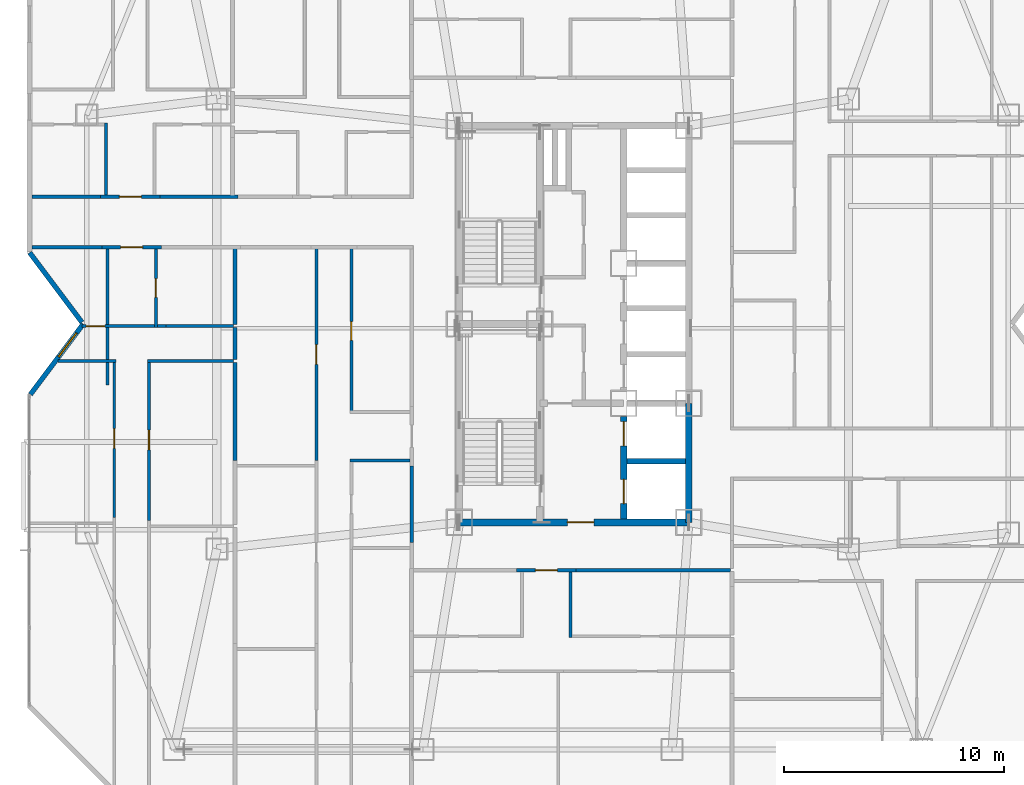
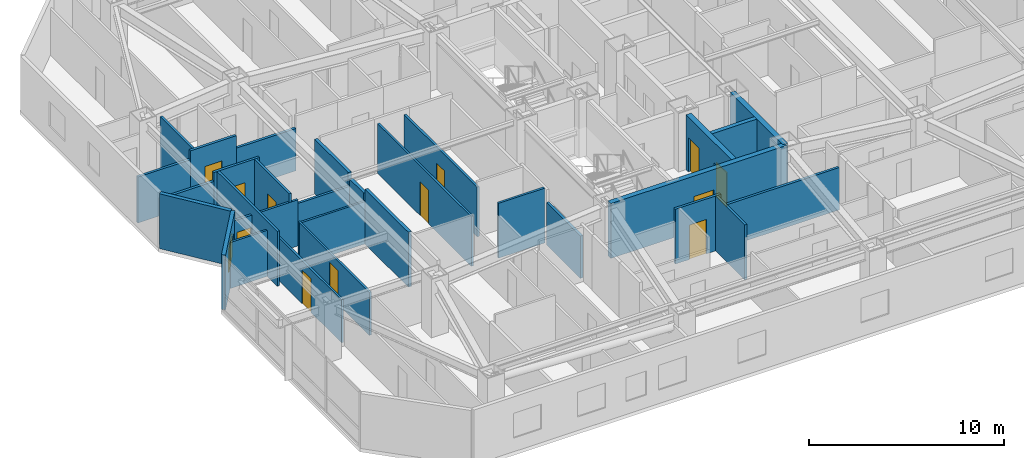
# One storey, part 12 of 18: 30 walls, 12 doors, 1 window, 13 openings.
"""IFC4 building model written with IfcOpenShell, lengths in metres."""

from ifc_helpers import new_model, si_unit, direction, frame, frame_2d, origin, place, context, subcontext, project, spatial, rectangle, extrude, material, layer, layer_set, type_object, element, fill, save


model = new_model("IFC4")

# Units and contexts
model_context = context("Model", 3, precision=1e-05, world=origin(), true_north=direction((0.0, 1.0)))
body_context = subcontext(model_context, "Body", "Model", "MODEL_VIEW")
ifc_project = project(units=[si_unit("LENGTHUNIT", "METRE"), si_unit("AREAUNIT", "SQUARE_METRE"), si_unit("VOLUMEUNIT", "CUBIC_METRE"), si_unit("PLANEANGLEUNIT", "RADIAN"), si_unit("MASSUNIT", "GRAM", prefix="KILO")], contexts=[model_context])

# Site, building, storey
site_placement = place(None, origin())
site = spatial("IfcSite", under=ifc_project, at=site_placement, CompositionType="ELEMENT")
building_placement = place(site_placement, origin())
building = spatial("IfcBuilding", under=site, at=building_placement, Name="Khamvora Tower", CompositionType="ELEMENT")
storey_placement = place(building_placement, frame((0.0, 0.0, 109.199951171875)))
storey = spatial("IfcBuildingStorey", under=building, at=storey_placement, Name="L27", CompositionType="ELEMENT", Elevation=109.199951171875)

# Wall, opening, door
ifc_material_1 = material(Name="Concrete C50/60", Category="concrete")
ifc_layer_1 = layer(ifc_material_1, 0.300048828125)
ifc_layer_set_1 = layer_set([ifc_layer_1], Name="Concrete C50/60")
wall_type_1 = type_object("IfcWallType", Name="WAL-CORE-300", PredefinedType="SHEAR", material=ifc_layer_set_1)
wall_1_placement = place(storey_placement, frame((29.0, 19.0, 0.0), z_axis=(0.0, 0.0, 1.0), x_axis=(1.0, 0.0, 0.0)))
wall_1 = element("IfcWall", 1, at=wall_1_placement, inside=storey, type_object=wall_type_1, Name="L27 central core south wall", PredefinedType="SHEAR", context=body_context, shape_type="SweptSolid", body=[
    extrude(rectangle(XDim=10.39990234375, YDim=0.300048828125, at=frame_2d((5.199951171875, 0.0))), origin(), (0.0, 0.0, 1.0), 3.429931640625),
])
opening_1_placement = place(wall_1_placement, frame((4.89990234375, 0.0, 0.0)))
opening_1 = element("IfcOpeningElement", 2, at=opening_1_placement, cuts=wall_1, Name="Opening D-CR1", PredefinedType="OPENING", context=body_context, shape_type="SweptSolid", body=[
    extrude(rectangle(XDim=1.199951171875, YDim=2.14990234375, at=frame_2d((0.60009765625, 1.074951171875))), frame((0.0, 0.159912109375, 0.0), z_axis=(0.0, -1.0, 0.0), x_axis=(1.0, 0.0, 0.0)), (0.0, 0.0, 1.0), 0.320068359375),
])
ifc_material_2 = material(Name="Powder-Coated Steel and Hardwood Leaf", Category="steel")
door_type_1 = type_object("IfcDoorType", Name="DOR-CORR-1200", OperationType="NOTDEFINED", PredefinedType="DOOR", material=ifc_material_2)
door_1_placement = place(opening_1_placement, origin())
door_1 = element("IfcDoor", 3, at=door_1_placement, inside=storey, type_object=door_type_1, Name="L27 south core lobby to corridor fire door", OperationType="SINGLE_SWING_LEFT", OverallHeight=2.14990234375, OverallWidth=1.199951171875, PredefinedType="DOOR", context=body_context, shape_type="SweptSolid", body=[
    extrude(rectangle(XDim=1.199951171875, YDim=2.14990234375, at=frame_2d((0.60009765625, 1.074951171875))), frame((0.0, 0.02490234375, 0.0), z_axis=(0.0, -1.0, 0.0), x_axis=(1.0, 0.0, 0.0)), (0.0, 0.0, 1.0), 0.050048828125),
])
fill(opening_1, door_1)

# Wall
wall_2_placement = place(storey_placement, frame((39.39990234375, 19.0, 0.0), z_axis=(0.0, 0.0, 1.0), x_axis=(0.0, 1.0, 0.0)))
element("IfcWall", 4, at=wall_2_placement, inside=storey, type_object=wall_type_1, Name="L27 central core east south wall", PredefinedType="SHEAR", context=body_context, shape_type="SweptSolid", body=[
    extrude(rectangle(XDim=5.39990234375, YDim=0.300048828125, at=frame_2d((2.699951171875, 0.0))), origin(), (0.0, 0.0, 1.0), 3.429931640625),
])

# Wall, openings, doors
wall_3_placement = place(storey_placement, frame((36.449951171875, 19.154052734375, 0.0), z_axis=(0.0, 0.0, 1.0), x_axis=(0.0, 1.0, 0.0)))
wall_3 = element("IfcWall", 5, at=wall_3_placement, inside=storey, type_object=wall_type_1, Name="L27 central core lift bank south wall", PredefinedType="SHEAR", context=body_context, shape_type="SweptSolid", body=[
    extrude(rectangle(XDim=4.64599609375, YDim=0.300048828125, at=frame_2d((2.322998046875, 0.0))), origin(), (0.0, 0.0, 1.0), 3.429931640625),
])
opening_2_placement = place(wall_3_placement, frame((0.696044921875, 0.0, 0.0)))
opening_2 = element("IfcOpeningElement", 6, at=opening_2_placement, cuts=wall_3, Name="Opening LD-FFL", PredefinedType="OPENING", context=body_context, shape_type="SweptSolid", body=[
    extrude(rectangle(XDim=1.10009765625, YDim=2.14990234375, at=frame_2d((0.550048828125, 1.074951171875))), frame((0.0, 0.159912109375, 0.0), z_axis=(0.0, -1.0, 0.0), x_axis=(1.0, 0.0, 0.0)), (0.0, 0.0, 1.0), 0.320068359375),
])
opening_3_placement = place(wall_3_placement, frame((3.31591796875, 0.0, 0.0)))
opening_3 = element("IfcOpeningElement", 7, at=opening_3_placement, cuts=wall_3, Name="Opening LD-FFL", PredefinedType="OPENING", context=body_context, shape_type="SweptSolid", body=[
    extrude(rectangle(XDim=1.10009765625, YDim=2.14990234375, at=frame_2d((0.550048828125, 1.074951171875))), frame((0.0, 0.159912109375, 0.0), z_axis=(0.0, -1.0, 0.0), x_axis=(1.0, 0.0, 0.0)), (0.0, 0.0, 1.0), 0.320068359375),
])
door_type_2 = type_object("IfcDoorType", Name="DOR-LIFT-1100", OperationType="SLIDING_TO_LEFT", PredefinedType="DOOR", material=ifc_material_2)
door_2_placement = place(opening_2_placement, origin())
door_2 = element("IfcDoor", 8, at=door_2_placement, inside=storey, type_object=door_type_2, Name="L27 lift landing sliding door FFL-01", OperationType="SLIDING_TO_LEFT", OverallHeight=2.14990234375, OverallWidth=1.10009765625, PredefinedType="DOOR", context=body_context, shape_type="SweptSolid", body=[
    extrude(rectangle(XDim=1.10009765625, YDim=2.14990234375, at=frame_2d((0.550048828125, 1.074951171875))), frame((0.0, 0.02490234375, 0.0), z_axis=(0.0, -1.0, 0.0), x_axis=(1.0, 0.0, 0.0)), (0.0, 0.0, 1.0), 0.050048828125),
])
fill(opening_2, door_2)
door_3_placement = place(opening_3_placement, origin())
door_3 = element("IfcDoor", 9, at=door_3_placement, inside=storey, type_object=door_type_2, Name="L27 lift landing sliding door FFL-02", OperationType="SLIDING_TO_LEFT", OverallHeight=2.14990234375, OverallWidth=1.10009765625, PredefinedType="DOOR", context=body_context, shape_type="SweptSolid", body=[
    extrude(rectangle(XDim=1.10009765625, YDim=2.14990234375, at=frame_2d((0.550048828125, 1.074951171875))), frame((0.0, 0.02490234375, 0.0), z_axis=(0.0, -1.0, 0.0), x_axis=(1.0, 0.0, 0.0)), (0.0, 0.0, 1.0), 0.050048828125),
])
fill(opening_3, door_3)

# Wall, opening, door
ifc_material_3 = material(Name="Fire-Rated Drywall and Steel Stud", Category="steel")
ifc_layer_2 = layer(ifc_material_3, 0.14990234375)
ifc_layer_set_2 = layer_set([ifc_layer_2], Name="Fire-Rated Drywall and Steel Stud")
wall_type_2 = type_object("IfcWallType", Name="WAL-CORR-150", PredefinedType="STANDARD", material=ifc_layer_set_2)
wall_4_placement = place(storey_placement, frame((15.487060546875, 31.485107421875, 0.0), z_axis=(0.0, 0.0, 1.0), x_axis=(-1.0, 0.0, 0.0)))
wall_4 = element("IfcWall", 10, at=wall_4_placement, inside=storey, type_object=wall_type_2, Name="L27 interior partition wall 006", PredefinedType="STANDARD", context=body_context, shape_type="SweptSolid", body=[
    extrude(rectangle(XDim=2.697998046875, YDim=0.14990234375, at=frame_2d((1.34912109375, 0.0))), origin(), (0.0, 0.0, 1.0), 3.429931640625),
])
opening_4_placement = place(wall_4_placement, frame((0.84912109375, 0.0, 0.0)))
opening_4 = element("IfcOpeningElement", 11, at=opening_4_placement, cuts=wall_4, Name="Opening D-U1", PredefinedType="OPENING", context=body_context, shape_type="SweptSolid", body=[
    extrude(rectangle(XDim=1.0, YDim=2.14990234375, at=frame_2d((0.5, 1.074951171875))), frame((0.0, 0.0849609375, 0.0), z_axis=(0.0, -1.0, 0.0), x_axis=(1.0, 0.0, 0.0)), (0.0, 0.0, 1.0), 0.169921875),
])
door_type_3 = type_object("IfcDoorType", Name="DOR-UNIT-1000", OperationType="NOTDEFINED", PredefinedType="DOOR", material=ifc_material_2)
door_4_placement = place(opening_4_placement, origin())
door_4 = element("IfcDoor", 12, at=door_4_placement, inside=storey, type_object=door_type_3, Name="L27 interior door COR-27WA1H", OperationType="SINGLE_SWING_LEFT", OverallHeight=2.14990234375, OverallWidth=1.0, PredefinedType="DOOR", context=body_context, shape_type="SweptSolid", body=[
    extrude(rectangle(XDim=1.0, YDim=2.14990234375, at=frame_2d((0.5, 1.074951171875))), frame((0.0, 0.02490234375, 0.0), z_axis=(0.0, -1.0, 0.0), x_axis=(1.0, 0.0, 0.0)), (0.0, 0.0, 1.0), 0.050048828125),
])
fill(opening_4, door_4)

# Walls
wall_5_placement = place(storey_placement, frame((12.7890625, 31.485107421875, 0.0), z_axis=(0.0, 0.0, 1.0), x_axis=(-1.0, 0.0, 0.0)))
element("IfcWall", 13, at=wall_5_placement, inside=storey, type_object=wall_type_2, Name="L27 interior partition wall 007", PredefinedType="STANDARD", context=body_context, shape_type="SweptSolid", body=[
    extrude(rectangle(XDim=3.177001953125, YDim=0.14990234375, at=frame_2d((1.58837890625, 0.0))), origin(), (0.0, 0.0, 1.0), 2.8759765625),
])
wall_6_placement = place(storey_placement, frame((26.8349609375, 18.093017578125, 0.0), z_axis=(0.0, 0.0, 1.0), x_axis=(0.0, 1.0, 0.0)))
element("IfcWall", 14, at=wall_6_placement, inside=storey, type_object=wall_type_2, Name="L27 interior partition wall 012", PredefinedType="STANDARD", context=body_context, shape_type="SweptSolid", body=[
    extrude(rectangle(XDim=3.467041015625, YDim=0.14990234375, at=frame_2d((1.7333984375, 0.0))), origin(), (0.0, 0.0, 1.0), 2.64697265625),
])

# Wall, opening, door
wall_7_placement = place(storey_placement, frame((12.72607421875, 33.764892578125, 0.0), z_axis=(0.0, 0.0, 1.0), x_axis=(1.0, 0.0, 0.0)))
wall_7 = element("IfcWall", 15, at=wall_7_placement, inside=storey, type_object=wall_type_2, Name="L27 interior partition wall 016", PredefinedType="STANDARD", context=body_context, shape_type="SweptSolid", body=[
    extrude(rectangle(XDim=2.697998046875, YDim=0.14990234375, at=frame_2d((1.34912109375, 0.0))), origin(), (0.0, 0.0, 1.0), 3.429931640625),
])
opening_5_placement = place(wall_7_placement, frame((0.84912109375, 0.0, 0.0)))
opening_5 = element("IfcOpeningElement", 16, at=opening_5_placement, cuts=wall_7, Name="Opening D-U1", PredefinedType="OPENING", context=body_context, shape_type="SweptSolid", body=[
    extrude(rectangle(XDim=1.0, YDim=2.14990234375, at=frame_2d((0.5, 1.074951171875))), frame((0.0, 0.0849609375, 0.0), z_axis=(0.0, -1.0, 0.0), x_axis=(1.0, 0.0, 0.0)), (0.0, 0.0, 1.0), 0.169921875),
])
door_5_placement = place(opening_5_placement, origin())
door_5 = element("IfcDoor", 17, at=door_5_placement, inside=storey, type_object=door_type_3, Name="L27 interior door COR-27WBH", OperationType="SINGLE_SWING_LEFT", OverallHeight=2.14990234375, OverallWidth=1.0, PredefinedType="DOOR", context=body_context, shape_type="SweptSolid", body=[
    extrude(rectangle(XDim=1.0, YDim=2.14990234375, at=frame_2d((0.5, 1.074951171875))), frame((0.0, 0.02490234375, 0.0), z_axis=(0.0, -1.0, 0.0), x_axis=(1.0, 0.0, 0.0)), (0.0, 0.0, 1.0), 0.050048828125),
])
fill(opening_5, door_5)

# Walls
wall_8_placement = place(storey_placement, frame((9.612060546875, 33.764892578125, 0.0), z_axis=(0.0, 0.0, 1.0), x_axis=(1.0, 0.0, 0.0)))
element("IfcWall", 18, at=wall_8_placement, inside=storey, type_object=wall_type_2, Name="L27 interior partition wall 017", PredefinedType="STANDARD", context=body_context, shape_type="SweptSolid", body=[
    extrude(rectangle(XDim=3.114013671875, YDim=0.14990234375, at=frame_2d((1.55712890625, 0.0))), origin(), (0.0, 0.0, 1.0), 2.8759765625),
])
wall_9_placement = place(storey_placement, frame((15.424072265625, 33.764892578125, 0.0), z_axis=(0.0, 0.0, 1.0), x_axis=(1.0, 0.0, 0.0)))
element("IfcWall", 19, at=wall_9_placement, inside=storey, type_object=wall_type_2, Name="L27 interior partition wall 018", PredefinedType="STANDARD", context=body_context, shape_type="SweptSolid", body=[
    extrude(rectangle(XDim=3.530029296875, YDim=0.14990234375, at=frame_2d((1.76513671875, 0.0))), origin(), (0.0, 0.0, 1.0), 2.64697265625),
])

# Wall, opening, door
wall_10_placement = place(storey_placement, frame((34.299072265625, 16.8349609375, 0.0), z_axis=(0.0, 0.0, 1.0), x_axis=(-1.0, 0.0, 0.0)))
wall_10 = element("IfcWall", 20, at=wall_10_placement, inside=storey, type_object=wall_type_2, Name="L27 interior partition wall 025", PredefinedType="STANDARD", context=body_context, shape_type="SweptSolid", body=[
    extrude(rectangle(XDim=2.697998046875, YDim=0.14990234375, at=frame_2d((1.34912109375, 0.0))), origin(), (0.0, 0.0, 1.0), 3.429931640625),
])
opening_6_placement = place(wall_10_placement, frame((0.84912109375, 0.0, 0.0)))
opening_6 = element("IfcOpeningElement", 21, at=opening_6_placement, cuts=wall_10, Name="Opening D-U1", PredefinedType="OPENING", context=body_context, shape_type="SweptSolid", body=[
    extrude(rectangle(XDim=1.0, YDim=2.14990234375, at=frame_2d((0.5, 1.074951171875))), frame((0.0, 0.0849609375, 0.0), z_axis=(0.0, -1.0, 0.0), x_axis=(1.0, 0.0, 0.0)), (0.0, 0.0, 1.0), 0.169921875),
])
door_6_placement = place(opening_6_placement, origin())
door_6 = element("IfcDoor", 22, at=door_6_placement, inside=storey, type_object=door_type_3, Name="L27 interior door COR-27SAH", OperationType="SINGLE_SWING_LEFT", OverallHeight=2.14990234375, OverallWidth=1.0, PredefinedType="DOOR", context=body_context, shape_type="SweptSolid", body=[
    extrude(rectangle(XDim=1.0, YDim=2.14990234375, at=frame_2d((0.5, 1.074951171875))), frame((0.0, 0.02490234375, 0.0), z_axis=(0.0, -1.0, 0.0), x_axis=(1.0, 0.0, 0.0)), (0.0, 0.0, 1.0), 0.050048828125),
])
fill(opening_6, door_6)

# Walls
wall_11_placement = place(storey_placement, frame((41.300048828125, 16.8349609375, 0.0), z_axis=(0.0, 0.0, 1.0), x_axis=(-1.0, 0.0, 0.0)))
element("IfcWall", 23, at=wall_11_placement, inside=storey, type_object=wall_type_2, Name="L27 interior partition wall 027", PredefinedType="STANDARD", context=body_context, shape_type="SweptSolid", body=[
    extrude(rectangle(XDim=7.0009765625, YDim=0.14990234375, at=frame_2d((3.50048828125, 0.0))), origin(), (0.0, 0.0, 1.0), 2.64697265625),
])
ifc_material_4 = material(Name="Acoustic Double-Stud Fire Wall", Category="gypsum")
ifc_layer_3 = layer(ifc_material_4, 0.179931640625)
ifc_layer_set_3 = layer_set([ifc_layer_3], Name="Acoustic Double-Stud Fire Wall")
wall_type_3 = type_object("IfcWallType", Name="WAL-CORR-180", PredefinedType="STANDARD", material=ifc_layer_set_3)
wall_12_placement = place(storey_placement, frame((18.830078125, 27.840087890625, 0.0), z_axis=(0.0, 0.0, 1.0), x_axis=(0.0, -1.0, 0.0)))
element("IfcWall", 24, at=wall_12_placement, inside=storey, type_object=wall_type_3, Name="L27 interior partition wall 055", PredefinedType="STANDARD", context=body_context, shape_type="SweptSolid", body=[
    extrude(rectangle(XDim=1.4501953125, YDim=0.179931640625, at=frame_2d((0.72509765625, 0.0))), origin(), (0.0, 0.0, 1.0), 3.10693359375),
])
wall_13_placement = place(storey_placement, frame((18.830078125, 31.41796875, 0.0), z_axis=(0.0, 0.0, 1.0), x_axis=(0.0, -1.0, 0.0)))
element("IfcWall", 25, at=wall_13_placement, inside=storey, type_object=wall_type_3, Name="L27 interior partition wall 056", PredefinedType="STANDARD", context=body_context, shape_type="SweptSolid", body=[
    extrude(rectangle(XDim=3.447998046875, YDim=0.179931640625, at=frame_2d((1.72412109375, 0.0))), origin(), (0.0, 0.0, 1.0), 3.429931640625),
])
wall_14_placement = place(storey_placement, frame((18.830078125, 26.260009765625, 0.0), z_axis=(0.0, 0.0, 1.0), x_axis=(0.0, -1.0, 0.0)))
element("IfcWall", 26, at=wall_14_placement, inside=storey, type_object=wall_type_3, Name="L27 interior partition wall 062", PredefinedType="STANDARD", context=body_context, shape_type="SweptSolid", body=[
    extrude(rectangle(XDim=4.447021484375, YDim=0.179931640625, at=frame_2d((2.2236328125, 0.0))), origin(), (0.0, 0.0, 1.0), 3.429931640625),
])

# Wall, opening, window
ifc_material_5 = material(Name="Precast concrete C40/50", Category="concrete")
ifc_layer_4 = layer(ifc_material_5, 0.219970703125)
ifc_layer_set_4 = layer_set([ifc_layer_4], Name="Precast concrete C40/50")
wall_type_4 = type_object("IfcWallType", Name="WAL-EXT-220", PredefinedType="STANDARD", material=ifc_layer_set_4)
wall_15_placement = place(storey_placement, frame((9.5439453125, 24.80810546875, 0.0), z_axis=(0.0, 0.0, 1.0), x_axis=(0.600019580308, 0.799985314394, 0.0)))
wall_15 = element("IfcWall", 27, at=wall_15_placement, inside=storey, type_object=wall_type_4, Name="L27 exterior facade wall 03.1", PredefinedType="STANDARD", context=body_context, shape_type="SweptSolid", body=[
    extrude(rectangle(XDim=3.989990234375, YDim=0.219970703125, at=frame_2d((1.9951171875, 0.0))), origin(), (0.0, 0.0, 1.0), 3.429931640625),
])
opening_7_placement = place(wall_15_placement, frame((2.134033203125, 0.0, 0.85009765625)))
opening_7 = element("IfcOpeningElement", 28, at=opening_7_placement, cuts=wall_15, Name="Opening WN-07", PredefinedType="OPENING", context=body_context, shape_type="SweptSolid", body=[
    extrude(rectangle(XDim=1.35009765625, YDim=1.5, at=frame_2d((0.675048828125, 0.75))), frame((0.0, 0.119873046875, 0.0), z_axis=(0.0, -1.0, 0.0), x_axis=(1.0, 0.0, 0.0)), (0.0, 0.0, 1.0), 0.239990234375),
])
ifc_material_6 = material(Name="Low-E Laminated Double Glazing", Category="glass")
window_type = type_object("IfcWindowType", Name="WIN-VIS-1350x1500", PartitioningType="SINGLE_PANEL", PredefinedType="WINDOW", material=ifc_material_6)
window_placement = place(opening_7_placement, origin())
window = element("IfcWindow", 29, at=window_placement, inside=storey, type_object=window_type, Name="L27 vision window 03.1.01", OverallHeight=1.5, OverallWidth=1.35009765625, PartitioningType="SINGLE_PANEL", PredefinedType="WINDOW", context=body_context, shape_type="SweptSolid", body=[
    extrude(rectangle(XDim=1.35009765625, YDim=1.5, at=frame_2d((0.675048828125, 0.75))), frame((0.0, 0.030029296875, 0.0), z_axis=(0.0, -1.0, 0.0), x_axis=(1.0, 0.0, 0.0)), (0.0, 0.0, 1.0), 0.06005859375),
])
fill(opening_7, window)

# Wall
wall_16_placement = place(storey_placement, frame((11.881103515625, 28.076904296875, 0.0), z_axis=(0.0, 0.0, 1.0), x_axis=(-0.600158184825, 0.799881336942, 0.0)))
element("IfcWall", 30, at=wall_16_placement, inside=storey, type_object=wall_type_4, Name="L27 exterior facade wall 04.1", PredefinedType="STANDARD", context=body_context, shape_type="SweptSolid", body=[
    extrude(rectangle(XDim=3.95068359375, YDim=0.219970703125, at=frame_2d((1.975341796875, 0.0))), origin(), (0.0, 0.0, 1.0), 3.429931640625),
])

# Wall, opening, door
ifc_material_7 = material(Name="Gypsum Plasterboard Partition", Category="gypsum")
ifc_layer_5 = layer(ifc_material_7, 0.1201171875)
ifc_layer_set_5 = layer_set([ifc_layer_5], Name="Gypsum Plasterboard Partition")
wall_type_5 = type_object("IfcWallType", Name="WAL-PART-120", PredefinedType="PARTITIONING", material=ifc_layer_set_5)
wall_17_placement = place(storey_placement, frame((13.35302734375, 19.218994140625, 0.0), z_axis=(0.0, 0.0, 1.0), x_axis=(0.0, 1.0, 0.0)))
wall_17 = element("IfcWall", 31, at=wall_17_placement, inside=storey, type_object=wall_type_5, Name="L27 interior partition wall 050", PredefinedType="PARTITIONING", context=body_context, shape_type="SweptSolid", body=[
    extrude(rectangle(XDim=7.1708984375, YDim=0.1201171875, at=frame_2d((3.58544921875, 0.0))), origin(), (0.0, 0.0, 1.0), 2.68701171875),
])
opening_8_placement = place(wall_17_placement, frame((3.135009765625, 0.0, 0.0)))
opening_8 = element("IfcOpeningElement", 32, at=opening_8_placement, cuts=wall_17, Name="Opening D-RM1", PredefinedType="OPENING", context=body_context, shape_type="SweptSolid", body=[
    extrude(rectangle(XDim=0.89990234375, YDim=2.10009765625, at=frame_2d((0.449951171875, 1.050048828125))), frame((0.0, 0.070068359375, 0.0), z_axis=(0.0, -1.0, 0.0), x_axis=(1.0, 0.0, 0.0)), (0.0, 0.0, 1.0), 0.14013671875),
])
door_type_4 = type_object("IfcDoorType", Name="DOR-ROOM-900", OperationType="NOTDEFINED", PredefinedType="DOOR", material=ifc_material_2)
door_7_placement = place(opening_8_placement, origin())
door_7 = element("IfcDoor", 33, at=door_7_placement, inside=storey, type_object=door_type_4, Name="L27 interior door 27WA1H-27WA1R2", OperationType="SINGLE_SWING_RIGHT", OverallHeight=2.10009765625, OverallWidth=0.89990234375, PredefinedType="DOOR", context=body_context, shape_type="SweptSolid", body=[
    extrude(rectangle(XDim=0.89990234375, YDim=2.10009765625, at=frame_2d((0.449951171875, 1.050048828125))), frame((0.0, 0.02490234375, 0.0), z_axis=(0.0, -1.0, 0.0), x_axis=(1.0, 0.0, 0.0)), (0.0, 0.0, 1.0), 0.050048828125),
])
fill(opening_8, door_7)

# Walls
wall_18_placement = place(storey_placement, frame((13.41796875, 26.324951171875, 0.0), z_axis=(0.0, 0.0, 1.0), x_axis=(-1.0, 0.0, 0.0)))
element("IfcWall", 34, at=wall_18_placement, inside=storey, type_object=wall_type_5, Name="L27 interior partition wall 051", PredefinedType="PARTITIONING", context=body_context, shape_type="SweptSolid", body=[
    extrude(rectangle(XDim=2.625, YDim=0.1201171875, at=frame_2d((1.3125, 0.0))), origin(), (0.0, 0.0, 1.0), 2.8759765625),
])
wall_19_placement = place(storey_placement, frame((18.764892578125, 26.324951171875, 0.0), z_axis=(0.0, 0.0, 1.0), x_axis=(-1.0, 0.0, 0.0)))
element("IfcWall", 35, at=wall_19_placement, inside=storey, type_object=wall_type_5, Name="L27 interior partition wall 053", PredefinedType="PARTITIONING", context=body_context, shape_type="SweptSolid", body=[
    extrude(rectangle(XDim=3.906982421875, YDim=0.1201171875, at=frame_2d((1.95361328125, 0.0))), origin(), (0.0, 0.0, 1.0), 2.64697265625),
])

# Wall, opening, door
wall_20_placement = place(storey_placement, frame((14.923095703125, 26.389892578125, 0.0), z_axis=(0.0, 0.0, 1.0), x_axis=(0.0, -1.0, 0.0)))
wall_20 = element("IfcWall", 36, at=wall_20_placement, inside=storey, type_object=wall_type_5, Name="L27 interior partition wall 054", PredefinedType="PARTITIONING", context=body_context, shape_type="SweptSolid", body=[
    extrude(rectangle(XDim=7.305908203125, YDim=0.1201171875, at=frame_2d((3.65283203125, 0.0))), origin(), (0.0, 0.0, 1.0), 2.68701171875),
])
opening_9_placement = place(wall_20_placement, frame((3.202880859375, 0.0, 0.0)))
opening_9 = element("IfcOpeningElement", 37, at=opening_9_placement, cuts=wall_20, Name="Opening D-RM1", PredefinedType="OPENING", context=body_context, shape_type="SweptSolid", body=[
    extrude(rectangle(XDim=0.89990234375, YDim=2.10009765625, at=frame_2d((0.449951171875, 1.050048828125))), frame((0.0, 0.070068359375, 0.0), z_axis=(0.0, -1.0, 0.0), x_axis=(1.0, 0.0, 0.0)), (0.0, 0.0, 1.0), 0.14013671875),
])
door_8_placement = place(opening_9_placement, origin())
door_8 = element("IfcDoor", 38, at=door_8_placement, inside=storey, type_object=door_type_4, Name="L27 interior door 27WA1H-27WA1R4", OperationType="SINGLE_SWING_RIGHT", OverallHeight=2.10009765625, OverallWidth=0.89990234375, PredefinedType="DOOR", context=body_context, shape_type="SweptSolid", body=[
    extrude(rectangle(XDim=0.89990234375, YDim=2.10009765625, at=frame_2d((0.449951171875, 1.050048828125))), frame((0.0, 0.02490234375, 0.0), z_axis=(0.0, -1.0, 0.0), x_axis=(1.0, 0.0, 0.0)), (0.0, 0.0, 1.0), 0.050048828125),
])
fill(opening_9, door_8)

wall_21_placement = place(storey_placement, frame((22.51806640625, 21.81298828125, 0.0), z_axis=(0.0, 0.0, 1.0), x_axis=(0.0, 1.0, 0.0)))
wall_21 = element("IfcWall", 39, at=wall_21_placement, inside=storey, type_object=wall_type_5, Name="L27 interior partition wall 074", PredefinedType="PARTITIONING", context=body_context, shape_type="SweptSolid", body=[
    extrude(rectangle(XDim=9.60498046875, YDim=0.1201171875, at=frame_2d((4.802490234375, 0.0))), origin(), (0.0, 0.0, 1.0), 3.10693359375),
])
opening_10_placement = place(wall_21_placement, frame((4.35302734375, 0.0, 0.0)))
opening_10 = element("IfcOpeningElement", 40, at=opening_10_placement, cuts=wall_21, Name="Opening D-RM1", PredefinedType="OPENING", context=body_context, shape_type="SweptSolid", body=[
    extrude(rectangle(XDim=0.89990234375, YDim=2.10009765625, at=frame_2d((0.449951171875, 1.050048828125))), frame((0.0, 0.070068359375, 0.0), z_axis=(0.0, -1.0, 0.0), x_axis=(1.0, 0.0, 0.0)), (0.0, 0.0, 1.0), 0.14013671875),
])
door_9_placement = place(opening_10_placement, origin())
door_9 = element("IfcDoor", 41, at=door_9_placement, inside=storey, type_object=door_type_4, Name="L27 interior door 27WA2H-27WA2R3", OperationType="SINGLE_SWING_RIGHT", OverallHeight=2.10009765625, OverallWidth=0.89990234375, PredefinedType="DOOR", context=body_context, shape_type="SweptSolid", body=[
    extrude(rectangle(XDim=0.89990234375, YDim=2.10009765625, at=frame_2d((0.449951171875, 1.050048828125))), frame((0.0, 0.02490234375, 0.0), z_axis=(0.0, -1.0, 0.0), x_axis=(1.0, 0.0, 0.0)), (0.0, 0.0, 1.0), 0.050048828125),
])
fill(opening_10, door_9)

# Wall
ifc_material_8 = material(Name="Concrete C40/50", Category="concrete")
ifc_layer_6 = layer(ifc_material_8, 0.25)
ifc_layer_set_6 = layer_set([ifc_layer_6], Name="Concrete C40/50")
wall_type_6 = type_object("IfcWallType", Name="WAL-PODS-250", PredefinedType="SHEAR", material=ifc_layer_set_6)
wall_22_placement = place(storey_placement, frame((36.60400390625, 21.77490234375, 0.0), z_axis=(0.0, 0.0, 1.0), x_axis=(1.0, 0.0, 0.0)))
element("IfcWall", 42, at=wall_22_placement, inside=storey, type_object=wall_type_6, Name="L27 lift shaft divider wall FFL-01", PredefinedType="SHEAR", context=body_context, shape_type="SweptSolid", body=[
    extrude(rectangle(XDim=2.64208984375, YDim=0.25, at=frame_2d((1.321044921875, 0.0))), origin(), (0.0, 0.0, 1.0), 3.429931640625),
])

# Wall, opening, door
ifc_material_9 = material(Name="Moisture-Resistant Plasterboard Partition", Category="gypsum")
ifc_layer_7 = layer(ifc_material_9, 0.135009765625)
ifc_layer_set_7 = layer_set([ifc_layer_7], Name="Moisture-Resistant Plasterboard Partition")
wall_type_7 = type_object("IfcWallType", Name="WAL-WET-135", PredefinedType="PARTITIONING", material=ifc_layer_set_7)
wall_23_placement = place(storey_placement, frame((11.881103515625, 27.905029296875, 0.0), z_axis=(0.0, 0.0, 1.0), x_axis=(1.0, 0.0, 0.0)))
wall_23 = element("IfcWall", 43, at=wall_23_placement, inside=storey, type_object=wall_type_7, Name="L27 interior partition wall 045", PredefinedType="PARTITIONING", context=body_context, shape_type="SweptSolid", body=[
    extrude(rectangle(XDim=3.82177734375, YDim=0.135009765625, at=frame_2d((1.910888671875, 0.0))), origin(), (0.0, 0.0, 1.0), 2.8759765625),
])
opening_11_placement = place(wall_23_placement, frame((0.194091796875, 0.0, 0.0)))
opening_11 = element("IfcOpeningElement", 44, at=opening_11_placement, cuts=wall_23, Name="Opening D-WC1", PredefinedType="OPENING", context=body_context, shape_type="SweptSolid", body=[
    extrude(rectangle(XDim=0.85009765625, YDim=2.10009765625, at=frame_2d((0.425048828125, 1.050048828125))), frame((0.0, 0.077392578125, 0.0), z_axis=(0.0, -1.0, 0.0), x_axis=(1.0, 0.0, 0.0)), (0.0, 0.0, 1.0), 0.155029296875),
])
door_type_5 = type_object("IfcDoorType", Name="DOR-WET-850", OperationType="NOTDEFINED", PredefinedType="DOOR", material=ifc_material_2)
door_10_placement = place(opening_11_placement, origin())
door_10 = element("IfcDoor", 45, at=door_10_placement, inside=storey, type_object=door_type_5, Name="L27 interior door 27WA1H-27WA1B", OperationType="SINGLE_SWING_LEFT", OverallHeight=2.10009765625, OverallWidth=0.85009765625, PredefinedType="DOOR", context=body_context, shape_type="SweptSolid", body=[
    extrude(rectangle(XDim=0.85009765625, YDim=2.10009765625, at=frame_2d((0.425048828125, 1.050048828125))), frame((0.0, 0.02490234375, 0.0), z_axis=(0.0, -1.0, 0.0), x_axis=(1.0, 0.0, 0.0)), (0.0, 0.0, 1.0), 0.050048828125),
])
fill(opening_11, door_10)

# Wall
wall_24_placement = place(storey_placement, frame((13.0380859375, 25.239990234375, 0.0), z_axis=(0.0, 0.0, 1.0), x_axis=(0.0, 1.0, 0.0)))
element("IfcWall", 46, at=wall_24_placement, inside=storey, type_object=wall_type_7, Name="L27 interior partition wall 046", PredefinedType="PARTITIONING", context=body_context, shape_type="SweptSolid", body=[
    extrude(rectangle(XDim=6.177978515625, YDim=0.135009765625, at=frame_2d((3.0888671875, 0.0))), origin(), (0.0, 0.0, 1.0), 3.429931640625),
])

# Wall, opening, door
wall_25_placement = place(storey_placement, frame((15.238037109375, 31.41796875, 0.0), z_axis=(0.0, 0.0, 1.0), x_axis=(0.0, -1.0, 0.0)))
wall_25 = element("IfcWall", 47, at=wall_25_placement, inside=storey, type_object=wall_type_7, Name="L27 interior partition wall 047", PredefinedType="PARTITIONING", context=body_context, shape_type="SweptSolid", body=[
    extrude(rectangle(XDim=3.577880859375, YDim=0.135009765625, at=frame_2d((1.7890625, 0.0))), origin(), (0.0, 0.0, 1.0), 3.429931640625),
])
opening_12_placement = place(wall_25_placement, frame((1.364013671875, 0.0, 0.0)))
opening_12 = element("IfcOpeningElement", 48, at=opening_12_placement, cuts=wall_25, Name="Opening D-RM2", PredefinedType="OPENING", context=body_context, shape_type="SweptSolid", body=[
    extrude(rectangle(XDim=0.85009765625, YDim=2.10009765625, at=frame_2d((0.425048828125, 1.050048828125))), frame((0.0, 0.077392578125, 0.0), z_axis=(0.0, -1.0, 0.0), x_axis=(1.0, 0.0, 0.0)), (0.0, 0.0, 1.0), 0.155029296875),
])
door_type_6 = type_object("IfcDoorType", Name="DOR-ROOM-850", OperationType="NOTDEFINED", PredefinedType="DOOR", material=ifc_material_2)
door_11_placement = place(opening_12_placement, origin())
door_11 = element("IfcDoor", 49, at=door_11_placement, inside=storey, type_object=door_type_6, Name="L27 interior door 27WA1H-27WA1K", OperationType="SINGLE_SWING_RIGHT", OverallHeight=2.10009765625, OverallWidth=0.85009765625, PredefinedType="DOOR", context=body_context, shape_type="SweptSolid", body=[
    extrude(rectangle(XDim=0.85009765625, YDim=2.10009765625, at=frame_2d((0.425048828125, 1.050048828125))), frame((0.0, 0.02490234375, 0.0), z_axis=(0.0, -1.0, 0.0), x_axis=(1.0, 0.0, 0.0)), (0.0, 0.0, 1.0), 0.050048828125),
])
fill(opening_12, door_11)

# Walls
wall_26_placement = place(storey_placement, frame((15.702880859375, 27.905029296875, 0.0), z_axis=(0.0, 0.0, 1.0), x_axis=(1.0, 0.0, 0.0)))
element("IfcWall", 50, at=wall_26_placement, inside=storey, type_object=wall_type_7, Name="L27 interior partition wall 048", PredefinedType="PARTITIONING", context=body_context, shape_type="SweptSolid", body=[
    extrude(rectangle(XDim=3.06201171875, YDim=0.135009765625, at=frame_2d((1.531005859375, 0.0))), origin(), (0.0, 0.0, 1.0), 2.64697265625),
])
wall_27_placement = place(storey_placement, frame((26.77001953125, 21.80908203125, 0.0), z_axis=(0.0, 0.0, 1.0), x_axis=(-1.0, 0.0, 0.0)))
element("IfcWall", 51, at=wall_27_placement, inside=storey, type_object=wall_type_7, Name="L27 interior partition wall 068", PredefinedType="PARTITIONING", context=body_context, shape_type="SweptSolid", body=[
    extrude(rectangle(XDim=2.737060546875, YDim=0.135009765625, at=frame_2d((1.36865234375, 0.0))), origin(), (0.0, 0.0, 1.0), 3.429931640625),
])

# Wall, opening, door
wall_28_placement = place(storey_placement, frame((24.097900390625, 31.41796875, 0.0), z_axis=(0.0, 0.0, 1.0), x_axis=(0.0, -1.0, 0.0)))
wall_28 = element("IfcWall", 52, at=wall_28_placement, inside=storey, type_object=wall_type_7, Name="L27 interior partition wall 070", PredefinedType="PARTITIONING", context=body_context, shape_type="SweptSolid", body=[
    extrude(rectangle(XDim=7.473876953125, YDim=0.135009765625, at=frame_2d((3.73681640625, 0.0))), origin(), (0.0, 0.0, 1.0), 3.10693359375),
])
opening_13_placement = place(wall_28_placement, frame((3.31201171875, 0.0, 0.0)))
opening_13 = element("IfcOpeningElement", 53, at=opening_13_placement, cuts=wall_28, Name="Opening D-RM2", PredefinedType="OPENING", context=body_context, shape_type="SweptSolid", body=[
    extrude(rectangle(XDim=0.85009765625, YDim=2.10009765625, at=frame_2d((0.425048828125, 1.050048828125))), frame((0.0, 0.077392578125, 0.0), z_axis=(0.0, -1.0, 0.0), x_axis=(1.0, 0.0, 0.0)), (0.0, 0.0, 1.0), 0.155029296875),
])
door_12_placement = place(opening_13_placement, origin())
door_12 = element("IfcDoor", 54, at=door_12_placement, inside=storey, type_object=door_type_6, Name="L27 interior door 27WA2H-27WA2K", OperationType="SINGLE_SWING_LEFT", OverallHeight=2.10009765625, OverallWidth=0.85009765625, PredefinedType="DOOR", context=body_context, shape_type="SweptSolid", body=[
    extrude(rectangle(XDim=0.85009765625, YDim=2.10009765625, at=frame_2d((0.425048828125, 1.050048828125))), frame((0.0, 0.02490234375, 0.0), z_axis=(0.0, -1.0, 0.0), x_axis=(1.0, 0.0, 0.0)), (0.0, 0.0, 1.0), 0.050048828125),
])
fill(opening_13, door_12)

# Walls
wall_29_placement = place(storey_placement, frame((12.97509765625, 33.83203125, 0.0), z_axis=(0.0, 0.0, 1.0), x_axis=(0.0, 1.0, 0.0)))
element("IfcWall", 55, at=wall_29_placement, inside=storey, type_object=wall_type_7, Name="L27 interior partition wall 077", PredefinedType="PARTITIONING", context=body_context, shape_type="SweptSolid", body=[
    extrude(rectangle(XDim=3.286865234375, YDim=0.135009765625, at=frame_2d((1.6435546875, 0.0))), origin(), (0.0, 0.0, 1.0), 3.429931640625),
])
wall_30_placement = place(storey_placement, frame((34.050048828125, 16.77001953125, 0.0), z_axis=(0.0, 0.0, 1.0), x_axis=(0.0, -1.0, 0.0)))
element("IfcWall", 56, at=wall_30_placement, inside=storey, type_object=wall_type_7, Name="L27 interior partition wall 102", PredefinedType="PARTITIONING", context=body_context, shape_type="SweptSolid", body=[
    extrude(rectangle(XDim=2.9970703125, YDim=0.135009765625, at=frame_2d((1.49853515625, 0.0))), origin(), (0.0, 0.0, 1.0), 3.429931640625),
])

save(model, "model.ifc")
